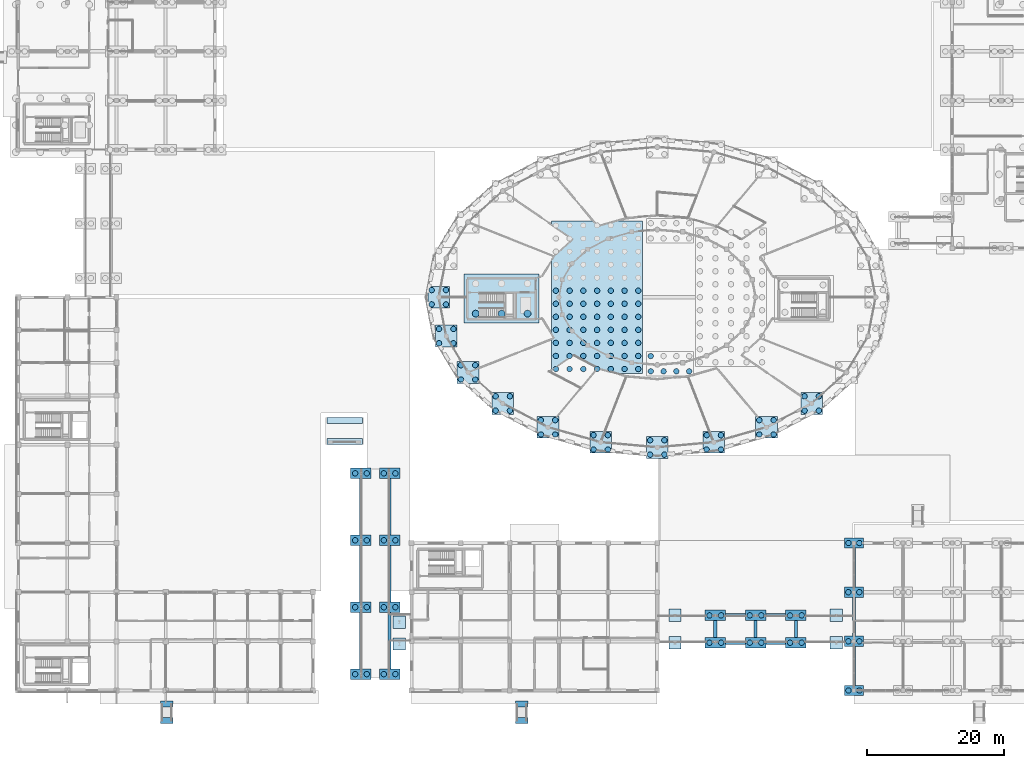
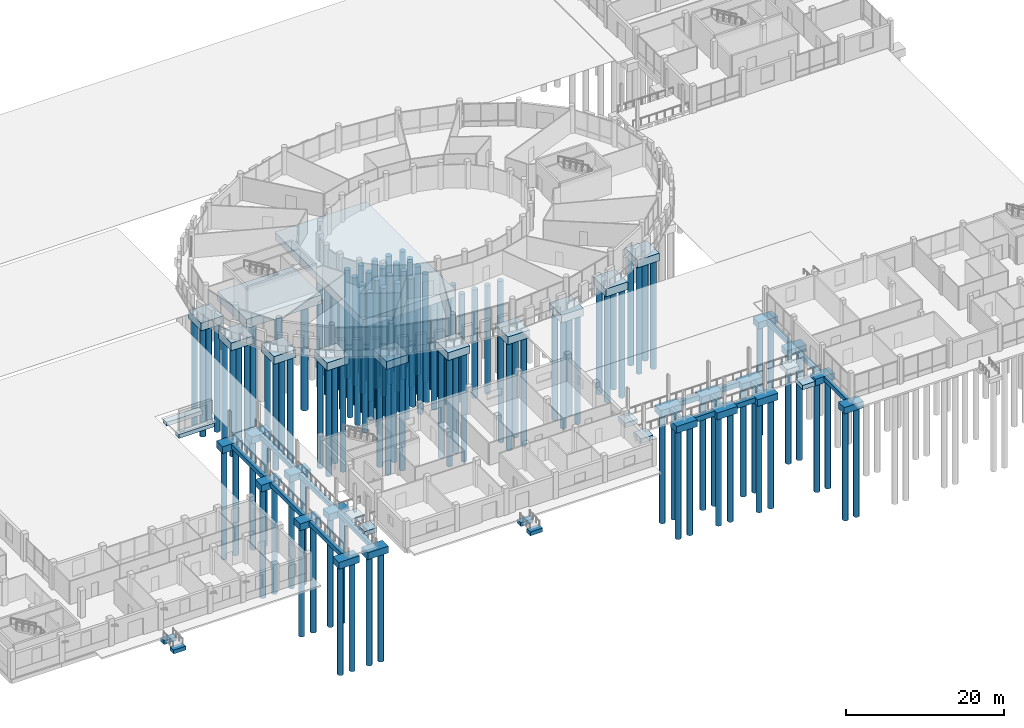
# One storey, part 1 of 98: 133 piles, 58 footings.
"""IFC4 building model written with IfcOpenShell, lengths in metres."""

from ifc_helpers import new_model, si_unit, direction, frame, origin, origin_2d, place, context, subcontext, project, spatial, rectangle, circle, extrude, material, material_profile, profile_set, type_object, element, save


model = new_model("IFC4")

# Units and contexts
model_context = context("Model", 3, precision=1e-05, world=origin(), true_north=direction((0.0, 1.0)))
body_context = subcontext(model_context, "Body", "Model", "MODEL_VIEW")
ifc_project = project(units=[si_unit("LENGTHUNIT", "METRE"), si_unit("AREAUNIT", "SQUARE_METRE"), si_unit("VOLUMEUNIT", "CUBIC_METRE"), si_unit("PLANEANGLEUNIT", "RADIAN"), si_unit("MASSUNIT", "GRAM", prefix="KILO")], contexts=[model_context])

# Site, building, storey
site_placement = place(None, origin())
site = spatial("IfcSite", under=ifc_project, at=site_placement, CompositionType="ELEMENT")
building_placement = place(site_placement, origin())
building = spatial("IfcBuilding", under=site, at=building_placement, Name="Zornivar Specialist Clinic", CompositionType="ELEMENT")
storey_placement = place(building_placement, origin())
storey = spatial("IfcBuildingStorey", under=building, at=storey_placement, Name="L00", CompositionType="ELEMENT", Elevation=0.0)

# Footings
ifc_material_1 = material(Name="Concrete C30/37", Category="concrete")
ifc_material_profile_1 = material_profile(ifc_material_1, rectangle(XDim=0.449951171875, YDim=0.699951171875, at=origin_2d()), Name="RC 450x700")
ifc_profile_set_1 = profile_set([ifc_material_profile_1], Name="Concrete C30/37")
footing_type_1 = type_object("IfcFootingType", Name="FTG-GB-450x700", PredefinedType="FOOTING_BEAM", material=ifc_profile_set_1)
for number, where, z_axis, x_axis, name in (
    (1, (50.199951171875, 3.175048828125, -0.699951171875), (0.0, 1.0, 0.0), (-1.0, 0.0, 0.0), "gb:L00:y:502:32"),
    (2, (50.199951171875, 12.97509765625, -0.699951171875), (0.0, 1.0, 0.0), (-1.0, 0.0, 0.0), "gb:L00:y:502:130"),
    (3, (50.199951171875, 22.77490234375, -0.699951171875), (0.0, 1.0, 0.0), (-1.0, 0.0, 0.0), "gb:L00:y:502:228"),
    (4, (54.39990234375, 3.175048828125, -0.699951171875), (0.0, 1.0, 0.0), (-1.0, 0.0, 0.0), "gb:L00:y:544:32"),
    (5, (54.39990234375, 12.97509765625, -0.699951171875), (0.0, 1.0, 0.0), (-1.0, 0.0, 0.0), "gb:L00:y:544:130"),
    (6, (54.39990234375, 22.77490234375, -0.699951171875), (0.0, 1.0, 0.0), (-1.0, 0.0, 0.0), "gb:L00:y:544:228"),
):
    element("IfcFooting", number, at=place(storey_placement, frame(where, z_axis=z_axis, x_axis=x_axis)), inside=storey, type_object=footing_type_1, Name=name, PredefinedType="FOOTING_BEAM", context=body_context, shape_type="SweptSolid", body=[
        extrude(rectangle(XDim=0.449951171875, YDim=0.699951171875, at=origin_2d()), origin(), (0.0, 0.0, 1.0), 8.25),
    ])
for number, where, z_axis, x_axis, name in (
    (7, (102.10009765625, 7.77490234375, -0.699951171875), (0.0, 1.0, 0.0), (-1.0, 0.0, 0.0), "gb:L00:y:1021:78"),
    (8, (108.0, 7.77490234375, -0.699951171875), (0.0, 1.0, 0.0), (-1.0, 0.0, 0.0), "gb:L00:y:1080:78"),
    (9, (113.89990234375, 7.77490234375, -0.699951171875), (0.0, 1.0, 0.0), (-1.0, 0.0, 0.0), "gb:L00:y:1139:78"),
):
    element("IfcFooting", number, at=place(storey_placement, frame(where, z_axis=z_axis, x_axis=x_axis)), inside=storey, type_object=footing_type_1, Name=name, PredefinedType="FOOTING_BEAM", context=body_context, shape_type="SweptSolid", body=[
        extrude(rectangle(XDim=0.449951171875, YDim=0.699951171875, at=origin_2d()), origin(), (0.0, 0.0, 1.0), 2.4501953125),
    ])
for number, where, z_axis, x_axis, name in (
    (10, (122.39990234375, 0.75, -0.699951171875), (0.0, 1.0, 0.0), (-1.0, 0.0, 0.0), "gb:L00:y:1224:8"),
    (11, (122.39990234375, 7.949951171875, -0.699951171875), (0.0, 1.0, 0.0), (-1.0, 0.0, 0.0), "gb:L00:y:1224:80"),
):
    element("IfcFooting", number, at=place(storey_placement, frame(where, z_axis=z_axis, x_axis=x_axis)), inside=storey, type_object=footing_type_1, Name=name, PredefinedType="FOOTING_BEAM", context=body_context, shape_type="SweptSolid", body=[
        extrude(rectangle(XDim=0.449951171875, YDim=0.699951171875, at=origin_2d()), origin(), (0.0, 0.0, 1.0), 5.699951171875),
    ])
footing_1_placement = place(storey_placement, frame((122.39990234375, 15.14990234375, -0.699951171875), z_axis=(0.0, 1.0, 0.0), x_axis=(-1.0, 0.0, 0.0)))
element("IfcFooting", 12, at=footing_1_placement, inside=storey, type_object=footing_type_1, Name="gb:L00:y:1224:152", PredefinedType="FOOTING_BEAM", context=body_context, shape_type="SweptSolid", body=[
    extrude(rectangle(XDim=0.449951171875, YDim=0.699951171875, at=origin_2d()), origin(), (0.0, 0.0, 1.0), 5.7001953125),
])
ifc_material_2 = material(Name="Concrete C30/37", Category="concrete")
ifc_material_profile_2 = material_profile(ifc_material_2, rectangle(XDim=0.5, YDim=0.75, at=origin_2d()), Name="RC 500x750")
ifc_profile_set_2 = profile_set([ifc_material_profile_2], Name="Concrete C30/37")
footing_type_2 = type_object("IfcFootingType", Name="FTG-GB-500x750", PredefinedType="FOOTING_BEAM", material=ifc_profile_set_2)
for number, where, z_axis, x_axis, name in (
    (13, (103.60009765625, 7.0, -0.72509765625), (1.0, 0.0, 0.0), (0.0, 1.0, 0.0), "gb:L00:x:70:1036"),
    (14, (109.5, 7.0, -0.72509765625), (1.0, 0.0, 0.0), (0.0, 1.0, 0.0), "gb:L00:x:70:1095"),
    (15, (103.60009765625, 11.0, -0.72509765625), (1.0, 0.0, 0.0), (0.0, 1.0, 0.0), "gb:L00:x:110:1036"),
    (16, (109.5, 11.0, -0.72509765625), (1.0, 0.0, 0.0), (0.0, 1.0, 0.0), "gb:L00:x:110:1095"),
):
    element("IfcFooting", number, at=place(storey_placement, frame(where, z_axis=z_axis, x_axis=x_axis)), inside=storey, type_object=footing_type_2, Name=name, PredefinedType="FOOTING_BEAM", context=body_context, shape_type="SweptSolid", body=[
        extrude(rectangle(XDim=0.5, YDim=0.75, at=origin_2d()), origin(), (0.0, 0.0, 1.0), 2.89990234375),
    ])
ifc_material_3 = material(Name="Concrete C30/37", Category="concrete")
footing_type_3 = type_object("IfcFootingType", Name="FTG-PAD-180x180x70", PredefinedType="PAD_FOOTING", material=ifc_material_3)
for number, where, z_axis, x_axis, name in (
    (17, (55.800048828125, 6.800048828125, -1.0498046875), (0.0, 0.0, 1.0), (1.0, 0.0, 0.0), "pad:BR1:55800_6800"),
    (18, (55.800048828125, 10.0, -1.0498046875), (0.0, 0.0, 1.0), (1.0, 0.0, 0.0), "pad:BR1:55800_10000"),
    (19, (96.199951171875, 7.0, -1.0498046875), (0.0, 0.0, 1.0), (1.0, 0.0, 0.0), "pad:BR4:96200_7000"),
    (20, (96.199951171875, 11.0, -1.0498046875), (0.0, 0.0, 1.0), (1.0, 0.0, 0.0), "pad:BR4:96200_11000"),
    (21, (119.800048828125, 7.0, -1.0498046875), (0.0, 0.0, 1.0), (1.0, 0.0, 0.0), "pad:BR4:119800_7000"),
    (22, (119.800048828125, 11.0, -1.0498046875), (0.0, 0.0, 1.0), (1.0, 0.0, 0.0), "pad:BR4:119800_11000"),
):
    element("IfcFooting", number, at=place(storey_placement, frame(where, z_axis=z_axis, x_axis=x_axis)), inside=storey, type_object=footing_type_3, Name=name, PredefinedType="PAD_FOOTING", context=body_context, shape_type="SweptSolid", body=[
        extrude(rectangle(XDim=1.800048828125, YDim=1.800048828125, at=origin_2d()), origin(), (0.0, 0.0, 1.0), 0.699951171875),
    ])
ifc_material_4 = material(Name="Concrete C30/37", Category="concrete")
footing_type_4 = type_object("IfcFootingType", Name="FTG-PC-2P-280x150x100", PredefinedType="PILE_CAP", material=ifc_material_4)
for number, where, z_axis, x_axis, name in (
    (23, (122.39990234375, 0.0, -1.35009765625), (0.0, 0.0, 1.0), (1.0, 0.0, 0.0), "ftg:V4:122400_0"),
    (24, (122.39990234375, 7.199951171875, -1.35009765625), (0.0, 0.0, 1.0), (1.0, 0.0, 0.0), "ftg:V4:122400_7200"),
    (25, (122.39990234375, 14.39990234375, -1.35009765625), (0.0, 0.0, 1.0), (1.0, 0.0, 0.0), "ftg:V4:122400_14400"),
    (26, (122.39990234375, 21.60009765625, -1.35009765625), (0.0, 0.0, 1.0), (1.0, 0.0, 0.0), "ftg:V4:122400_21600"),
):
    element("IfcFooting", number, at=place(storey_placement, frame(where, z_axis=z_axis, x_axis=x_axis)), inside=storey, type_object=footing_type_4, Name=name, PredefinedType="PILE_CAP", context=body_context, shape_type="SweptSolid", body=[
        extrude(rectangle(XDim=2.800048828125, YDim=1.5, at=origin_2d()), origin(), (0.0, 0.0, 1.0), 1.0),
    ])
ifc_material_5 = material(Name="Concrete C30/37", Category="concrete")
footing_type_5 = type_object("IfcFootingType", Name="FTG-PC-2P-300x155x105", PredefinedType="PILE_CAP", material=ifc_material_5)
for number, where, z_axis, x_axis, name in (
    (27, (50.199951171875, 2.39990234375, -1.39990234375), (0.0, 0.0, 1.0), (1.0, 0.0, 0.0), "ftg:BR1:50200_2400"),
    (28, (50.199951171875, 12.199951171875, -1.39990234375), (0.0, 0.0, 1.0), (1.0, 0.0, 0.0), "ftg:BR1:50200_12200"),
    (29, (50.199951171875, 22.0, -1.39990234375), (0.0, 0.0, 1.0), (1.0, 0.0, 0.0), "ftg:BR1:50200_22000"),
    (30, (50.199951171875, 31.800048828125, -1.39990234375), (0.0, 0.0, 1.0), (1.0, 0.0, 0.0), "ftg:BR1:50200_31800"),
    (31, (54.39990234375, 2.39990234375, -1.39990234375), (0.0, 0.0, 1.0), (1.0, 0.0, 0.0), "ftg:BR1:54400_2400"),
    (32, (54.39990234375, 12.199951171875, -1.39990234375), (0.0, 0.0, 1.0), (1.0, 0.0, 0.0), "ftg:BR1:54400_12200"),
    (33, (54.39990234375, 22.0, -1.39990234375), (0.0, 0.0, 1.0), (1.0, 0.0, 0.0), "ftg:BR1:54400_22000"),
    (34, (54.39990234375, 31.800048828125, -1.39990234375), (0.0, 0.0, 1.0), (1.0, 0.0, 0.0), "ftg:BR1:54400_31800"),
    (35, (102.10009765625, 7.0, -1.39990234375), (0.0, 0.0, 1.0), (1.0, 0.0, 0.0), "ftg:BR4:102100_7000"),
    (36, (102.10009765625, 11.0, -1.39990234375), (0.0, 0.0, 1.0), (1.0, 0.0, 0.0), "ftg:BR4:102100_11000"),
    (37, (108.0, 7.0, -1.39990234375), (0.0, 0.0, 1.0), (1.0, 0.0, 0.0), "ftg:BR4:108000_7000"),
    (38, (108.0, 11.0, -1.39990234375), (0.0, 0.0, 1.0), (1.0, 0.0, 0.0), "ftg:BR4:108000_11000"),
    (39, (113.89990234375, 7.0, -1.39990234375), (0.0, 0.0, 1.0), (1.0, 0.0, 0.0), "ftg:BR4:113900_7000"),
    (40, (113.89990234375, 11.0, -1.39990234375), (0.0, 0.0, 1.0), (1.0, 0.0, 0.0), "ftg:BR4:113900_11000"),
):
    element("IfcFooting", number, at=place(storey_placement, frame(where, z_axis=z_axis, x_axis=x_axis)), inside=storey, type_object=footing_type_5, Name=name, PredefinedType="PILE_CAP", context=body_context, shape_type="SweptSolid", body=[
        extrude(rectangle(XDim=3.0, YDim=1.550048828125, at=origin_2d()), origin(), (0.0, 0.0, 1.0), 1.050048828125),
    ])
ifc_material_6 = material(Name="Concrete C30/37", Category="concrete")
footing_type_6 = type_object("IfcFootingType", Name="FTG-PC-4P-320x320x120", PredefinedType="PILE_CAP", material=ifc_material_6)
for number, where, z_axis, x_axis, name in (
    (41, (61.60009765625, 57.60009765625, -1.580078125), (0.0, 0.0, 1.0), (1.0, 0.0, 0.0), "ftg:V1:61600_57600"),
    (42, (62.68994140625, 51.906005859375, -1.580078125), (0.0, 0.0, 1.0), (1.0, 0.0, 0.0), "ftg:V1:62690_51906"),
    (43, (65.886962890625, 46.60009765625, -1.580078125), (0.0, 0.0, 1.0), (1.0, 0.0, 0.0), "ftg:V1:65887_46600"),
    (44, (70.972900390625, 42.0439453125, -1.580078125), (0.0, 0.0, 1.0), (1.0, 0.0, 0.0), "ftg:V1:70973_42044"),
    (45, (77.60009765625, 38.547119140625, -1.580078125), (0.0, 0.0, 1.0), (1.0, 0.0, 0.0), "ftg:V1:77600_38547"),
    (46, (85.318115234375, 36.35009765625, -1.580078125), (0.0, 0.0, 1.0), (1.0, 0.0, 0.0), "ftg:V1:85318_36350"),
    (47, (93.60009765625, 35.60009765625, -1.580078125), (0.0, 0.0, 1.0), (1.0, 0.0, 0.0), "ftg:V1:93600_35600"),
    (48, (101.882080078125, 36.35009765625, -1.580078125), (0.0, 0.0, 1.0), (1.0, 0.0, 0.0), "ftg:V1:101882_36350"),
    (49, (109.60009765625, 38.547119140625, -1.580078125), (0.0, 0.0, 1.0), (1.0, 0.0, 0.0), "ftg:V1:109600_38547"),
    (50, (116.22705078125, 42.0439453125, -1.580078125), (0.0, 0.0, 1.0), (1.0, 0.0, 0.0), "ftg:V1:116227_42044"),
):
    element("IfcFooting", number, at=place(storey_placement, frame(where, z_axis=z_axis, x_axis=x_axis)), inside=storey, type_object=footing_type_6, Name=name, PredefinedType="PILE_CAP", context=body_context, shape_type="SweptSolid", body=[
        extrude(rectangle(XDim=3.199951171875, YDim=3.199951171875, at=origin_2d()), origin(), (0.0, 0.0, 1.0), 1.199951171875),
    ])
ifc_material_7 = material(Name="Concrete C30/37", Category="concrete")
footing_type_7 = type_object("IfcFootingType", Name="FTG-PC-COMB-1337x2233x120", PredefinedType="PILE_CAP", material=ifc_material_7)
footing_2_placement = place(storey_placement, frame((84.785888671875, 57.60009765625, -1.580078125), z_axis=(0.0, 0.0, 1.0), x_axis=(1.0, 0.0, 0.0)))
element("IfcFooting", 51, at=footing_2_placement, inside=storey, type_object=footing_type_7, Name="ftg:V1:89873_67163", PredefinedType="PILE_CAP", context=body_context, shape_type="SweptSolid", body=[
    extrude(rectangle(XDim=13.373046875, YDim=22.326904296875, at=origin_2d()), origin(), (0.0, 0.0, 1.0), 1.199951171875),
])
ifc_material_8 = material(Name="Concrete C30/37", Category="concrete")
footing_type_8 = type_object("IfcFootingType", Name="FTG-PC-CORE-1100x720x140", PredefinedType="PILE_CAP", material=ifc_material_8)
footing_3_placement = place(storey_placement, frame((70.800048828125, 57.39990234375, -1.75), z_axis=(0.0, 0.0, 1.0), x_axis=(1.0, 0.0, 0.0)))
element("IfcFooting", 52, at=footing_3_placement, inside=storey, type_object=footing_type_8, Name="ftg:core:C3", PredefinedType="PILE_CAP", context=body_context, shape_type="SweptSolid", body=[
    extrude(rectangle(XDim=11.0, YDim=7.199951171875, at=origin_2d()), origin(), (0.0, 0.0, 1.0), 1.39990234375),
])
ifc_material_9 = material(Name="Concrete C30/37", Category="concrete")
ifc_material_profile_3 = material_profile(ifc_material_9, rectangle(XDim=0.89990234375, YDim=0.60009765625, at=origin_2d()), Name="RC 900x600")
ifc_profile_set_3 = profile_set([ifc_material_profile_3], Name="Concrete C30/37")
footing_type_9 = type_object("IfcFootingType", Name="FTG-STRIP-900x600", PredefinedType="STRIP_FOOTING", material=ifc_profile_set_3)
for number, where, z_axis, x_axis, name in (
    (53, (45.199951171875, 36.449951171875, -0.550048828125), (1.0, 0.0, 0.0), (0.0, 1.0, 0.0), "ftg:ramp:L00:apronS"),
    (54, (45.199951171875, 39.550048828125, -0.550048828125), (1.0, 0.0, 0.0), (0.0, 1.0, 0.0), "ftg:ramp:L00:apronN"),
):
    element("IfcFooting", number, at=place(storey_placement, frame(where, z_axis=z_axis, x_axis=x_axis)), inside=storey, type_object=footing_type_9, Name=name, PredefinedType="STRIP_FOOTING", context=body_context, shape_type="SweptSolid", body=[
        extrude(rectangle(XDim=0.89990234375, YDim=0.60009765625, at=origin_2d()), origin(), (0.0, 0.0, 1.0), 5.199951171875),
    ])
for number, where, z_axis, x_axis, name in (
    (55, (20.85009765625, -4.39990234375, -0.47998046875), (1.0, 0.0, 0.0), (0.0, 1.0, 0.0), "ftg:ramp:ped:L00:PR1:lo"),
    (56, (20.85009765625, -2.0, -0.4990234375), (1.0, 0.0, 0.0), (0.0, 1.0, 0.0), "ftg:ramp:ped:L00:PR1:hi"),
    (57, (72.85009765625, -4.39990234375, -0.47998046875), (1.0, 0.0, 0.0), (0.0, 1.0, 0.0), "ftg:ramp:ped:L00:PR2:lo"),
    (58, (72.85009765625, -2.0, -0.4990234375), (1.0, 0.0, 0.0), (0.0, 1.0, 0.0), "ftg:ramp:ped:L00:PR2:hi"),
):
    element("IfcFooting", number, at=place(storey_placement, frame(where, z_axis=z_axis, x_axis=x_axis)), inside=storey, type_object=footing_type_9, Name=name, PredefinedType="STRIP_FOOTING", context=body_context, shape_type="SweptSolid", body=[
        extrude(rectangle(XDim=0.89990234375, YDim=0.60009765625, at=origin_2d()), origin(), (0.0, 0.0, 1.0), 1.7998046875),
    ])

# Piles
ifc_material_10 = material(Name="Concrete C30/37", Category="concrete")
ifc_material_profile_4 = material_profile(ifc_material_10, circle(Radius=0.5, at=origin_2d()), Name="PILE D1000")
ifc_profile_set_4 = profile_set([ifc_material_profile_4], Name="Concrete C30/37")
pile_type_1 = type_object("IfcPileType", Name="PILE-BORED-1000", PredefinedType="BORED", material=ifc_profile_set_4)
for number, where, z_axis, x_axis, name in (
    (59, (67.0, 55.199951171875, -1.64990234375), (0.0, 0.0, -1.0), (1.0, 0.0, 0.0), "pile:ftg:core:C3:0"),
    (60, (70.800048828125, 55.199951171875, -1.64990234375), (0.0, 0.0, -1.0), (1.0, 0.0, 0.0), "pile:ftg:core:C3:1"),
    (61, (74.60009765625, 55.199951171875, -1.64990234375), (0.0, 0.0, -1.0), (1.0, 0.0, 0.0), "pile:ftg:core:C3:2"),
):
    element("IfcPile", number, at=place(storey_placement, frame(where, z_axis=z_axis, x_axis=x_axis)), inside=storey, type_object=pile_type_1, Name=name, PredefinedType="BORED", context=body_context, shape_type="SweptSolid", body=[
        extrude(circle(Radius=0.5, at=origin_2d()), origin(), (0.0, 0.0, 1.0), 16.550048828125),
    ])
ifc_material_11 = material(Name="Concrete C30/37", Category="concrete")
ifc_material_profile_5 = material_profile(ifc_material_11, circle(Radius=0.39990234375, at=origin_2d()), Name="PILE D800")
ifc_profile_set_5 = profile_set([ifc_material_profile_5], Name="Concrete C30/37")
pile_type_2 = type_object("IfcPileType", Name="PILE-BORED-800", PredefinedType="BORED", material=ifc_profile_set_5)
for number, where, z_axis, x_axis, name in (
    (62, (121.60009765625, 0.0, -1.25), (0.0, 0.0, -1.0), (1.0, 0.0, 0.0), "pile:ftg:V4:122400_0:0"),
    (63, (123.199951171875, 0.0, -1.25), (0.0, 0.0, -1.0), (1.0, 0.0, 0.0), "pile:ftg:V4:122400_0:1"),
    (64, (121.60009765625, 7.199951171875, -1.25), (0.0, 0.0, -1.0), (1.0, 0.0, 0.0), "pile:ftg:V4:122400_7200:0"),
    (65, (123.199951171875, 7.199951171875, -1.25), (0.0, 0.0, -1.0), (1.0, 0.0, 0.0), "pile:ftg:V4:122400_7200:1"),
    (66, (121.60009765625, 14.39990234375, -1.25), (0.0, 0.0, -1.0), (1.0, 0.0, 0.0), "pile:ftg:V4:122400_14400:0"),
    (67, (123.199951171875, 14.39990234375, -1.25), (0.0, 0.0, -1.0), (1.0, 0.0, 0.0), "pile:ftg:V4:122400_14400:1"),
    (68, (121.60009765625, 21.60009765625, -1.25), (0.0, 0.0, -1.0), (1.0, 0.0, 0.0), "pile:ftg:V4:122400_21600:0"),
    (69, (123.199951171875, 21.60009765625, -1.25), (0.0, 0.0, -1.0), (1.0, 0.0, 0.0), "pile:ftg:V4:122400_21600:1"),
):
    element("IfcPile", number, at=place(storey_placement, frame(where, z_axis=z_axis, x_axis=x_axis)), inside=storey, type_object=pile_type_2, Name=name, PredefinedType="BORED", context=body_context, shape_type="SweptSolid", body=[
        extrude(circle(Radius=0.39990234375, at=origin_2d()), origin(), (0.0, 0.0, 1.0), 16.949951171875),
    ])
for number, where, z_axis, x_axis, name in (
    (70, (78.75, 47.0859375, -1.47998046875), (0.0, 0.0, -1.0), (1.0, 0.0, 0.0), "pile:ftg:V1:89873_67163:0"),
    (71, (78.75, 48.998046875, -1.47998046875), (0.0, 0.0, -1.0), (1.0, 0.0, 0.0), "pile:ftg:V1:89873_67163:1"),
    (72, (78.75, 50.909912109375, -1.47998046875), (0.0, 0.0, -1.0), (1.0, 0.0, 0.0), "pile:ftg:V1:89873_67163:2"),
    (73, (78.75, 52.821044921875, -1.47998046875), (0.0, 0.0, -1.0), (1.0, 0.0, 0.0), "pile:ftg:V1:89873_67163:3"),
    (74, (78.75, 54.73291015625, -1.47998046875), (0.0, 0.0, -1.0), (1.0, 0.0, 0.0), "pile:ftg:V1:89873_67163:4"),
    (75, (78.75, 56.64404296875, -1.47998046875), (0.0, 0.0, -1.0), (1.0, 0.0, 0.0), "pile:ftg:V1:89873_67163:5"),
    (76, (78.75, 58.555908203125, -1.47998046875), (0.0, 0.0, -1.0), (1.0, 0.0, 0.0), "pile:ftg:V1:89873_67163:6"),
    (77, (80.761962890625, 47.0859375, -1.47998046875), (0.0, 0.0, -1.0), (1.0, 0.0, 0.0), "pile:ftg:V1:89873_67163:12"),
    (78, (80.761962890625, 48.998046875, -1.47998046875), (0.0, 0.0, -1.0), (1.0, 0.0, 0.0), "pile:ftg:V1:89873_67163:13"),
    (79, (80.761962890625, 50.909912109375, -1.47998046875), (0.0, 0.0, -1.0), (1.0, 0.0, 0.0), "pile:ftg:V1:89873_67163:14"),
    (80, (80.761962890625, 52.821044921875, -1.47998046875), (0.0, 0.0, -1.0), (1.0, 0.0, 0.0), "pile:ftg:V1:89873_67163:15"),
    (81, (80.761962890625, 54.73291015625, -1.47998046875), (0.0, 0.0, -1.0), (1.0, 0.0, 0.0), "pile:ftg:V1:89873_67163:16"),
    (82, (80.761962890625, 56.64404296875, -1.47998046875), (0.0, 0.0, -1.0), (1.0, 0.0, 0.0), "pile:ftg:V1:89873_67163:17"),
    (83, (80.761962890625, 58.555908203125, -1.47998046875), (0.0, 0.0, -1.0), (1.0, 0.0, 0.0), "pile:ftg:V1:89873_67163:18"),
    (84, (82.77392578125, 47.0859375, -1.47998046875), (0.0, 0.0, -1.0), (1.0, 0.0, 0.0), "pile:ftg:V1:89873_67163:24"),
    (85, (82.77392578125, 48.998046875, -1.47998046875), (0.0, 0.0, -1.0), (1.0, 0.0, 0.0), "pile:ftg:V1:89873_67163:25"),
    (86, (82.77392578125, 50.909912109375, -1.47998046875), (0.0, 0.0, -1.0), (1.0, 0.0, 0.0), "pile:ftg:V1:89873_67163:26"),
    (87, (82.77392578125, 52.821044921875, -1.47998046875), (0.0, 0.0, -1.0), (1.0, 0.0, 0.0), "pile:ftg:V1:89873_67163:27"),
    (88, (82.77392578125, 54.73291015625, -1.47998046875), (0.0, 0.0, -1.0), (1.0, 0.0, 0.0), "pile:ftg:V1:89873_67163:28"),
    (89, (82.77392578125, 56.64404296875, -1.47998046875), (0.0, 0.0, -1.0), (1.0, 0.0, 0.0), "pile:ftg:V1:89873_67163:29"),
    (90, (82.77392578125, 58.555908203125, -1.47998046875), (0.0, 0.0, -1.0), (1.0, 0.0, 0.0), "pile:ftg:V1:89873_67163:30"),
    (91, (84.785888671875, 47.0859375, -1.47998046875), (0.0, 0.0, -1.0), (1.0, 0.0, 0.0), "pile:ftg:V1:89873_67163:36"),
    (92, (84.785888671875, 48.998046875, -1.47998046875), (0.0, 0.0, -1.0), (1.0, 0.0, 0.0), "pile:ftg:V1:89873_67163:37"),
    (93, (84.785888671875, 50.909912109375, -1.47998046875), (0.0, 0.0, -1.0), (1.0, 0.0, 0.0), "pile:ftg:V1:89873_67163:38"),
    (94, (84.785888671875, 52.821044921875, -1.47998046875), (0.0, 0.0, -1.0), (1.0, 0.0, 0.0), "pile:ftg:V1:89873_67163:39"),
    (95, (84.785888671875, 54.73291015625, -1.47998046875), (0.0, 0.0, -1.0), (1.0, 0.0, 0.0), "pile:ftg:V1:89873_67163:40"),
    (96, (84.785888671875, 56.64404296875, -1.47998046875), (0.0, 0.0, -1.0), (1.0, 0.0, 0.0), "pile:ftg:V1:89873_67163:41"),
    (97, (84.785888671875, 58.555908203125, -1.47998046875), (0.0, 0.0, -1.0), (1.0, 0.0, 0.0), "pile:ftg:V1:89873_67163:42"),
    (98, (86.798095703125, 47.0859375, -1.47998046875), (0.0, 0.0, -1.0), (1.0, 0.0, 0.0), "pile:ftg:V1:89873_67163:48"),
    (99, (86.798095703125, 48.998046875, -1.47998046875), (0.0, 0.0, -1.0), (1.0, 0.0, 0.0), "pile:ftg:V1:89873_67163:49"),
    (100, (86.798095703125, 50.909912109375, -1.47998046875), (0.0, 0.0, -1.0), (1.0, 0.0, 0.0), "pile:ftg:V1:89873_67163:50"),
    (101, (86.798095703125, 52.821044921875, -1.47998046875), (0.0, 0.0, -1.0), (1.0, 0.0, 0.0), "pile:ftg:V1:89873_67163:51"),
    (102, (86.798095703125, 54.73291015625, -1.47998046875), (0.0, 0.0, -1.0), (1.0, 0.0, 0.0), "pile:ftg:V1:89873_67163:52"),
    (103, (86.798095703125, 56.64404296875, -1.47998046875), (0.0, 0.0, -1.0), (1.0, 0.0, 0.0), "pile:ftg:V1:89873_67163:53"),
    (104, (86.798095703125, 58.555908203125, -1.47998046875), (0.0, 0.0, -1.0), (1.0, 0.0, 0.0), "pile:ftg:V1:89873_67163:54"),
    (105, (88.81005859375, 47.0859375, -1.47998046875), (0.0, 0.0, -1.0), (1.0, 0.0, 0.0), "pile:ftg:V1:89873_67163:60"),
    (106, (88.81005859375, 48.998046875, -1.47998046875), (0.0, 0.0, -1.0), (1.0, 0.0, 0.0), "pile:ftg:V1:89873_67163:61"),
    (107, (88.81005859375, 50.909912109375, -1.47998046875), (0.0, 0.0, -1.0), (1.0, 0.0, 0.0), "pile:ftg:V1:89873_67163:62"),
    (108, (88.81005859375, 52.821044921875, -1.47998046875), (0.0, 0.0, -1.0), (1.0, 0.0, 0.0), "pile:ftg:V1:89873_67163:63"),
    (109, (88.81005859375, 54.73291015625, -1.47998046875), (0.0, 0.0, -1.0), (1.0, 0.0, 0.0), "pile:ftg:V1:89873_67163:64"),
    (110, (88.81005859375, 56.64404296875, -1.47998046875), (0.0, 0.0, -1.0), (1.0, 0.0, 0.0), "pile:ftg:V1:89873_67163:65"),
    (111, (88.81005859375, 58.555908203125, -1.47998046875), (0.0, 0.0, -1.0), (1.0, 0.0, 0.0), "pile:ftg:V1:89873_67163:66"),
    (112, (90.822021484375, 47.0859375, -1.47998046875), (0.0, 0.0, -1.0), (1.0, 0.0, 0.0), "pile:ftg:V1:89873_67163:72"),
    (113, (90.822021484375, 48.998046875, -1.47998046875), (0.0, 0.0, -1.0), (1.0, 0.0, 0.0), "pile:ftg:V1:89873_67163:73"),
    (114, (90.822021484375, 50.909912109375, -1.47998046875), (0.0, 0.0, -1.0), (1.0, 0.0, 0.0), "pile:ftg:V1:89873_67163:74"),
    (115, (90.822021484375, 52.821044921875, -1.47998046875), (0.0, 0.0, -1.0), (1.0, 0.0, 0.0), "pile:ftg:V1:89873_67163:75"),
    (116, (90.822021484375, 54.73291015625, -1.47998046875), (0.0, 0.0, -1.0), (1.0, 0.0, 0.0), "pile:ftg:V1:89873_67163:76"),
    (117, (90.822021484375, 56.64404296875, -1.47998046875), (0.0, 0.0, -1.0), (1.0, 0.0, 0.0), "pile:ftg:V1:89873_67163:77"),
    (118, (90.822021484375, 58.555908203125, -1.47998046875), (0.0, 0.0, -1.0), (1.0, 0.0, 0.0), "pile:ftg:V1:89873_67163:78"),
    (119, (60.550048828125, 56.550048828125, -1.47998046875), (0.0, 0.0, -1.0), (1.0, 0.0, 0.0), "pile:ftg:V1:61600_57600:0"),
    (120, (62.64990234375, 56.550048828125, -1.47998046875), (0.0, 0.0, -1.0), (1.0, 0.0, 0.0), "pile:ftg:V1:61600_57600:1"),
    (121, (60.550048828125, 58.64990234375, -1.47998046875), (0.0, 0.0, -1.0), (1.0, 0.0, 0.0), "pile:ftg:V1:61600_57600:2"),
    (122, (62.64990234375, 58.64990234375, -1.47998046875), (0.0, 0.0, -1.0), (1.0, 0.0, 0.0), "pile:ftg:V1:61600_57600:3"),
    (123, (61.639892578125, 50.85595703125, -1.47998046875), (0.0, 0.0, -1.0), (1.0, 0.0, 0.0), "pile:ftg:V1:62690_51906:0"),
    (124, (63.739990234375, 50.85595703125, -1.47998046875), (0.0, 0.0, -1.0), (1.0, 0.0, 0.0), "pile:ftg:V1:62690_51906:1"),
    (125, (61.639892578125, 52.9560546875, -1.47998046875), (0.0, 0.0, -1.0), (1.0, 0.0, 0.0), "pile:ftg:V1:62690_51906:2"),
    (126, (63.739990234375, 52.9560546875, -1.47998046875), (0.0, 0.0, -1.0), (1.0, 0.0, 0.0), "pile:ftg:V1:62690_51906:3"),
    (127, (64.8369140625, 45.550048828125, -1.47998046875), (0.0, 0.0, -1.0), (1.0, 0.0, 0.0), "pile:ftg:V1:65887_46600:0"),
    (128, (66.93701171875, 45.550048828125, -1.47998046875), (0.0, 0.0, -1.0), (1.0, 0.0, 0.0), "pile:ftg:V1:65887_46600:1"),
    (129, (64.8369140625, 47.64990234375, -1.47998046875), (0.0, 0.0, -1.0), (1.0, 0.0, 0.0), "pile:ftg:V1:65887_46600:2"),
    (130, (66.93701171875, 47.64990234375, -1.47998046875), (0.0, 0.0, -1.0), (1.0, 0.0, 0.0), "pile:ftg:V1:65887_46600:3"),
    (131, (69.923095703125, 40.993896484375, -1.47998046875), (0.0, 0.0, -1.0), (1.0, 0.0, 0.0), "pile:ftg:V1:70973_42044:0"),
    (132, (72.02294921875, 40.993896484375, -1.47998046875), (0.0, 0.0, -1.0), (1.0, 0.0, 0.0), "pile:ftg:V1:70973_42044:1"),
    (133, (69.923095703125, 43.093994140625, -1.47998046875), (0.0, 0.0, -1.0), (1.0, 0.0, 0.0), "pile:ftg:V1:70973_42044:2"),
    (134, (72.02294921875, 43.093994140625, -1.47998046875), (0.0, 0.0, -1.0), (1.0, 0.0, 0.0), "pile:ftg:V1:70973_42044:3"),
    (135, (76.550048828125, 37.4970703125, -1.47998046875), (0.0, 0.0, -1.0), (1.0, 0.0, 0.0), "pile:ftg:V1:77600_38547:0"),
    (136, (78.64990234375, 37.4970703125, -1.47998046875), (0.0, 0.0, -1.0), (1.0, 0.0, 0.0), "pile:ftg:V1:77600_38547:1"),
    (137, (76.550048828125, 39.596923828125, -1.47998046875), (0.0, 0.0, -1.0), (1.0, 0.0, 0.0), "pile:ftg:V1:77600_38547:2"),
    (138, (78.64990234375, 39.596923828125, -1.47998046875), (0.0, 0.0, -1.0), (1.0, 0.0, 0.0), "pile:ftg:V1:77600_38547:3"),
    (139, (84.26806640625, 35.300048828125, -1.47998046875), (0.0, 0.0, -1.0), (1.0, 0.0, 0.0), "pile:ftg:V1:85318_36350:0"),
    (140, (86.367919921875, 35.300048828125, -1.47998046875), (0.0, 0.0, -1.0), (1.0, 0.0, 0.0), "pile:ftg:V1:85318_36350:1"),
    (141, (84.26806640625, 37.39990234375, -1.47998046875), (0.0, 0.0, -1.0), (1.0, 0.0, 0.0), "pile:ftg:V1:85318_36350:2"),
    (142, (86.367919921875, 37.39990234375, -1.47998046875), (0.0, 0.0, -1.0), (1.0, 0.0, 0.0), "pile:ftg:V1:85318_36350:3"),
    (143, (92.550048828125, 34.550048828125, -1.47998046875), (0.0, 0.0, -1.0), (1.0, 0.0, 0.0), "pile:ftg:V1:93600_35600:0"),
    (144, (94.64990234375, 34.550048828125, -1.47998046875), (0.0, 0.0, -1.0), (1.0, 0.0, 0.0), "pile:ftg:V1:93600_35600:1"),
    (145, (92.550048828125, 36.64990234375, -1.47998046875), (0.0, 0.0, -1.0), (1.0, 0.0, 0.0), "pile:ftg:V1:93600_35600:2"),
    (146, (94.64990234375, 36.64990234375, -1.47998046875), (0.0, 0.0, -1.0), (1.0, 0.0, 0.0), "pile:ftg:V1:93600_35600:3"),
    (147, (92.65087890625, 46.7490234375, -1.47998046875), (0.0, 0.0, -1.0), (1.0, 0.0, 0.0), "pile:ftg:V1:93600_47700:0"),
    (148, (92.65087890625, 48.987060546875, -1.47998046875), (0.0, 0.0, -1.0), (1.0, 0.0, 0.0), "pile:ftg:V1:93600_47700:1"),
    (149, (94.52587890625, 46.7490234375, -1.47998046875), (0.0, 0.0, -1.0), (1.0, 0.0, 0.0), "pile:ftg:V1:93600_47700:2"),
    (150, (96.402099609375, 46.7490234375, -1.47998046875), (0.0, 0.0, -1.0), (1.0, 0.0, 0.0), "pile:ftg:V1:93600_47700:4"),
    (151, (98.277099609375, 46.7490234375, -1.47998046875), (0.0, 0.0, -1.0), (1.0, 0.0, 0.0), "pile:ftg:V1:93600_47700:6"),
    (152, (100.83203125, 35.300048828125, -1.47998046875), (0.0, 0.0, -1.0), (1.0, 0.0, 0.0), "pile:ftg:V1:101882_36350:0"),
    (153, (102.931884765625, 35.300048828125, -1.47998046875), (0.0, 0.0, -1.0), (1.0, 0.0, 0.0), "pile:ftg:V1:101882_36350:1"),
    (154, (100.83203125, 37.39990234375, -1.47998046875), (0.0, 0.0, -1.0), (1.0, 0.0, 0.0), "pile:ftg:V1:101882_36350:2"),
    (155, (102.931884765625, 37.39990234375, -1.47998046875), (0.0, 0.0, -1.0), (1.0, 0.0, 0.0), "pile:ftg:V1:101882_36350:3"),
    (156, (108.550048828125, 37.4970703125, -1.47998046875), (0.0, 0.0, -1.0), (1.0, 0.0, 0.0), "pile:ftg:V1:109600_38547:0"),
    (157, (110.64990234375, 37.4970703125, -1.47998046875), (0.0, 0.0, -1.0), (1.0, 0.0, 0.0), "pile:ftg:V1:109600_38547:1"),
    (158, (108.550048828125, 39.596923828125, -1.47998046875), (0.0, 0.0, -1.0), (1.0, 0.0, 0.0), "pile:ftg:V1:109600_38547:2"),
    (159, (110.64990234375, 39.596923828125, -1.47998046875), (0.0, 0.0, -1.0), (1.0, 0.0, 0.0), "pile:ftg:V1:109600_38547:3"),
    (160, (115.177001953125, 40.993896484375, -1.47998046875), (0.0, 0.0, -1.0), (1.0, 0.0, 0.0), "pile:ftg:V1:116227_42044:0"),
    (161, (117.277099609375, 40.993896484375, -1.47998046875), (0.0, 0.0, -1.0), (1.0, 0.0, 0.0), "pile:ftg:V1:116227_42044:1"),
    (162, (115.177001953125, 43.093994140625, -1.47998046875), (0.0, 0.0, -1.0), (1.0, 0.0, 0.0), "pile:ftg:V1:116227_42044:2"),
    (163, (117.277099609375, 43.093994140625, -1.47998046875), (0.0, 0.0, -1.0), (1.0, 0.0, 0.0), "pile:ftg:V1:116227_42044:3"),
):
    element("IfcPile", number, at=place(storey_placement, frame(where, z_axis=z_axis, x_axis=x_axis)), inside=storey, type_object=pile_type_2, Name=name, PredefinedType="BORED", context=body_context, shape_type="SweptSolid", body=[
        extrude(circle(Radius=0.39990234375, at=origin_2d()), origin(), (0.0, 0.0, 1.0), 16.719970703125),
    ])
for number, where, z_axis, x_axis, name in (
    (164, (49.35009765625, 2.39990234375, -1.300048828125), (0.0, 0.0, -1.0), (1.0, 0.0, 0.0), "pile:ftg:BR1:50200_2400:0"),
    (165, (51.050048828125, 2.39990234375, -1.300048828125), (0.0, 0.0, -1.0), (1.0, 0.0, 0.0), "pile:ftg:BR1:50200_2400:1"),
    (166, (49.35009765625, 12.199951171875, -1.300048828125), (0.0, 0.0, -1.0), (1.0, 0.0, 0.0), "pile:ftg:BR1:50200_12200:0"),
    (167, (51.050048828125, 12.199951171875, -1.300048828125), (0.0, 0.0, -1.0), (1.0, 0.0, 0.0), "pile:ftg:BR1:50200_12200:1"),
    (168, (49.35009765625, 22.0, -1.300048828125), (0.0, 0.0, -1.0), (1.0, 0.0, 0.0), "pile:ftg:BR1:50200_22000:0"),
    (169, (51.050048828125, 22.0, -1.300048828125), (0.0, 0.0, -1.0), (1.0, 0.0, 0.0), "pile:ftg:BR1:50200_22000:1"),
    (170, (49.35009765625, 31.800048828125, -1.300048828125), (0.0, 0.0, -1.0), (1.0, 0.0, 0.0), "pile:ftg:BR1:50200_31800:0"),
    (171, (51.050048828125, 31.800048828125, -1.300048828125), (0.0, 0.0, -1.0), (1.0, 0.0, 0.0), "pile:ftg:BR1:50200_31800:1"),
    (172, (53.550048828125, 2.39990234375, -1.300048828125), (0.0, 0.0, -1.0), (1.0, 0.0, 0.0), "pile:ftg:BR1:54400_2400:0"),
    (173, (55.25, 2.39990234375, -1.300048828125), (0.0, 0.0, -1.0), (1.0, 0.0, 0.0), "pile:ftg:BR1:54400_2400:1"),
    (174, (53.550048828125, 12.199951171875, -1.300048828125), (0.0, 0.0, -1.0), (1.0, 0.0, 0.0), "pile:ftg:BR1:54400_12200:0"),
    (175, (55.25, 12.199951171875, -1.300048828125), (0.0, 0.0, -1.0), (1.0, 0.0, 0.0), "pile:ftg:BR1:54400_12200:1"),
    (176, (53.550048828125, 22.0, -1.300048828125), (0.0, 0.0, -1.0), (1.0, 0.0, 0.0), "pile:ftg:BR1:54400_22000:0"),
    (177, (55.25, 22.0, -1.300048828125), (0.0, 0.0, -1.0), (1.0, 0.0, 0.0), "pile:ftg:BR1:54400_22000:1"),
    (178, (53.550048828125, 31.800048828125, -1.300048828125), (0.0, 0.0, -1.0), (1.0, 0.0, 0.0), "pile:ftg:BR1:54400_31800:0"),
    (179, (55.25, 31.800048828125, -1.300048828125), (0.0, 0.0, -1.0), (1.0, 0.0, 0.0), "pile:ftg:BR1:54400_31800:1"),
    (180, (101.25, 7.0, -1.300048828125), (0.0, 0.0, -1.0), (1.0, 0.0, 0.0), "pile:ftg:BR4:102100_7000:0"),
    (181, (102.949951171875, 7.0, -1.300048828125), (0.0, 0.0, -1.0), (1.0, 0.0, 0.0), "pile:ftg:BR4:102100_7000:1"),
    (182, (101.25, 11.0, -1.300048828125), (0.0, 0.0, -1.0), (1.0, 0.0, 0.0), "pile:ftg:BR4:102100_11000:0"),
    (183, (102.949951171875, 11.0, -1.300048828125), (0.0, 0.0, -1.0), (1.0, 0.0, 0.0), "pile:ftg:BR4:102100_11000:1"),
    (184, (107.14990234375, 7.0, -1.300048828125), (0.0, 0.0, -1.0), (1.0, 0.0, 0.0), "pile:ftg:BR4:108000_7000:0"),
    (185, (108.85009765625, 7.0, -1.300048828125), (0.0, 0.0, -1.0), (1.0, 0.0, 0.0), "pile:ftg:BR4:108000_7000:1"),
    (186, (107.14990234375, 11.0, -1.300048828125), (0.0, 0.0, -1.0), (1.0, 0.0, 0.0), "pile:ftg:BR4:108000_11000:0"),
    (187, (108.85009765625, 11.0, -1.300048828125), (0.0, 0.0, -1.0), (1.0, 0.0, 0.0), "pile:ftg:BR4:108000_11000:1"),
    (188, (113.050048828125, 7.0, -1.300048828125), (0.0, 0.0, -1.0), (1.0, 0.0, 0.0), "pile:ftg:BR4:113900_7000:0"),
    (189, (114.75, 7.0, -1.300048828125), (0.0, 0.0, -1.0), (1.0, 0.0, 0.0), "pile:ftg:BR4:113900_7000:1"),
    (190, (113.050048828125, 11.0, -1.300048828125), (0.0, 0.0, -1.0), (1.0, 0.0, 0.0), "pile:ftg:BR4:113900_11000:0"),
    (191, (114.75, 11.0, -1.300048828125), (0.0, 0.0, -1.0), (1.0, 0.0, 0.0), "pile:ftg:BR4:113900_11000:1"),
):
    element("IfcPile", number, at=place(storey_placement, frame(where, z_axis=z_axis, x_axis=x_axis)), inside=storey, type_object=pile_type_2, Name=name, PredefinedType="BORED", context=body_context, shape_type="SweptSolid", body=[
        extrude(circle(Radius=0.39990234375, at=origin_2d()), origin(), (0.0, 0.0, 1.0), 16.89990234375),
    ])

save(model, "model.ifc")
